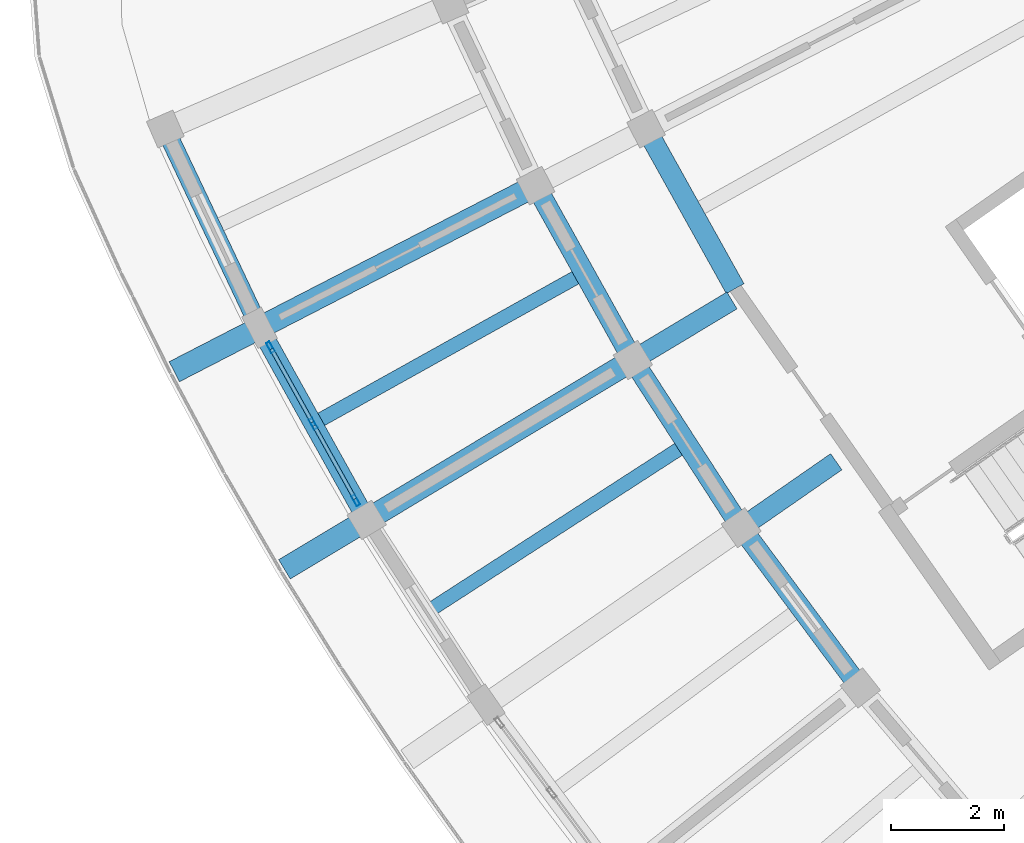
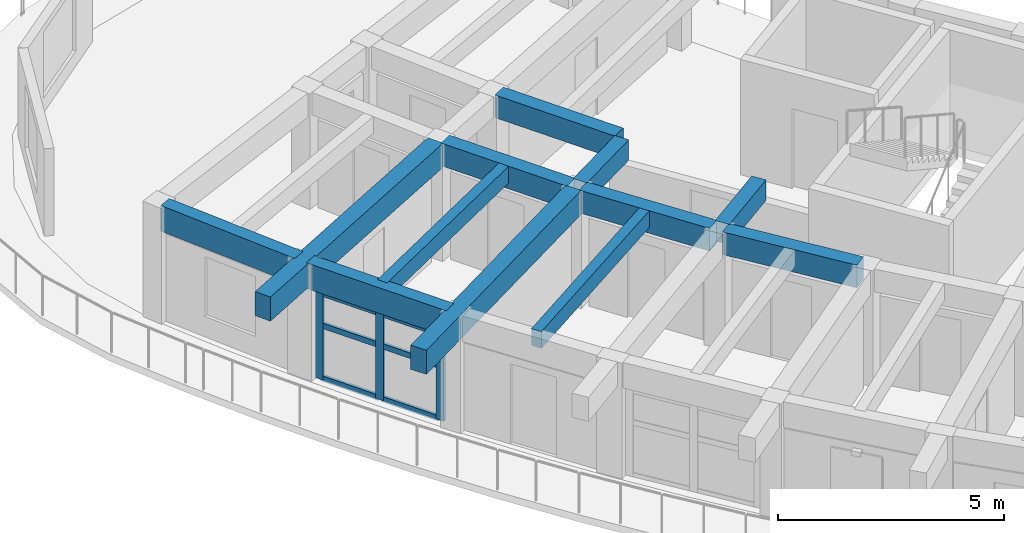
# One storey, part 7 of 62: 12 beams, 9 members, 1 element without a shape of its own.
"""IFC4 building model written with IfcOpenShell, lengths in metres."""

from ifc_helpers import new_model, si_unit, direction, frame, origin, origin_2d, place, context, subcontext, project, spatial, rectangle, hollow_rectangle, extrude, material, material_profile, profile_set, type_object, element, aggregate, save


model = new_model("IFC4")

# Units and contexts
model_context = context("Model", 3, precision=1e-05, world=origin(), true_north=direction((0.0, 1.0)))
body_context = subcontext(model_context, "Body", "Model", "MODEL_VIEW")
ifc_project = project(units=[si_unit("LENGTHUNIT", "METRE"), si_unit("AREAUNIT", "SQUARE_METRE"), si_unit("VOLUMEUNIT", "CUBIC_METRE"), si_unit("PLANEANGLEUNIT", "RADIAN"), si_unit("MASSUNIT", "GRAM", prefix="KILO")], contexts=[model_context])

# Site, building, storey
site_placement = place(None, origin())
site = spatial("IfcSite", under=ifc_project, at=site_placement, CompositionType="ELEMENT")
building_placement = place(site_placement, origin())
building = spatial("IfcBuilding", under=site, at=building_placement, Name="Tanwirah Colonnade Gardens", CompositionType="ELEMENT")
storey_placement = place(building_placement, frame((0.0, 0.0, 32.360107421875)))
storey = spatial("IfcBuildingStorey", under=building, at=storey_placement, Name="L09", CompositionType="ELEMENT", Elevation=32.360107421875)

# Beams
ifc_material_1 = material(Name="Precast concrete C40/50", Category="concrete")
ifc_material_profile_1 = material_profile(ifc_material_1, rectangle(XDim=0.360107421875, YDim=0.610107421875, at=origin_2d()), Name="PC-BM 360x610")
ifc_profile_set_1 = profile_set([ifc_material_profile_1], Name="Precast concrete C40/50")
beam_type_1 = type_object("IfcBeamType", Name="BM-PC300", PredefinedType="BEAM", material=ifc_profile_set_1)
beam_1_placement = place(storey_placement, frame((18.9775390625, 40.628173828125, 2.809814453125), z_axis=(0.486708181837, -0.873564620239, 0.0), x_axis=(0.873564620239, 0.486708181837, 0.0)))
element("IfcBeam", 1, at=beam_1_placement, inside=storey, type_object=beam_type_1, Name="Block C L09 Circumferential Beam 3-R1", PredefinedType="BEAM", context=body_context, shape_type="SweptSolid", body=[
    extrude(rectangle(XDim=0.360107421875, YDim=0.610107421875, at=origin_2d()), origin(), (0.0, 0.0, 1.0), 3.093017578125),
])
for number, where, z_axis, x_axis, name in (
    (2, (17.021728515625, 39.620849609375, 2.809814453125), (0.486712025227, -0.873562478875, 0.0), (0.873562478875, 0.486712025227, 0.0), "Block C L09 Circumferential Beam 3-R2"),
    (3, (18.75146484375, 36.5361328125, 2.809814453125), (0.542825891173, -0.839845254718, 0.0), (0.839845254718, 0.542825891173, 0.0), "Block C L09 Circumferential Beam 4-R2"),
):
    element("IfcBeam", number, at=place(storey_placement, frame(where, z_axis=z_axis, x_axis=x_axis)), inside=storey, type_object=beam_type_1, Name=name, PredefinedType="BEAM", context=body_context, shape_type="SweptSolid", body=[
        extrude(rectangle(XDim=0.360107421875, YDim=0.610107421875, at=origin_2d()), origin(), (0.0, 0.0, 1.0), 3.23681640625),
    ])
beam_2_placement = place(storey_placement, frame((20.679443359375, 33.5712890625, 2.809814453125), z_axis=(0.596579473879, -0.802554005252, 0.0), x_axis=(0.802554005252, 0.596579473879, 0.0)))
element("IfcBeam", 4, at=beam_2_placement, inside=storey, type_object=beam_type_1, Name="Block C L09 Circumferential Beam 5-R2", PredefinedType="BEAM", context=body_context, shape_type="SweptSolid", body=[
    extrude(rectangle(XDim=0.360107421875, YDim=0.610107421875, at=origin_2d()), origin(), (0.0, 0.0, 1.0), 3.237060546875),
])
ifc_material_profile_2 = material_profile(ifc_material_1, rectangle(XDim=0.35009765625, YDim=0.550048828125, at=origin_2d()), Name="PC-BM 350x550")
ifc_profile_set_2 = profile_set([ifc_material_profile_2], Name="Precast concrete C40/50")
beam_type_2 = type_object("IfcBeamType", Name="BM-PC350A", PredefinedType="BEAM", material=ifc_profile_set_2)
beam_3_placement = place(storey_placement, frame((20.42724609375, 37.718017578125, 2.83984375), z_axis=(-0.857186654737, -0.515005863017, 0.0), x_axis=(0.515005863017, -0.857186654737, 0.0)))
element("IfcBeam", 5, at=beam_3_placement, inside=storey, type_object=beam_type_2, Name="Block C L09 Corridor Tie Beam 4", PredefinedType="BEAM", context=body_context, shape_type="SweptSolid", body=[
    extrude(rectangle(XDim=0.35009765625, YDim=0.550048828125, at=origin_2d()), origin(), (0.0, 0.0, 1.0), 1.89990234375),
])
beam_4_placement = place(storey_placement, frame((22.2744140625, 34.860107421875, 2.83984375), z_axis=(-0.821669163201, -0.569964723684, 0.0), x_axis=(0.569964723684, -0.821669163201, 0.0)))
element("IfcBeam", 6, at=beam_4_placement, inside=storey, type_object=beam_type_2, Name="Block C L09 Corridor Tie Beam 5", PredefinedType="BEAM", context=body_context, shape_type="SweptSolid", body=[
    extrude(rectangle(XDim=0.35009765625, YDim=0.550048828125, at=origin_2d()), origin(), (0.0, 0.0, 1.0), 1.900146484375),
])
ifc_material_2 = material(Name="Precast concrete C45/55", Category="concrete")
ifc_material_profile_3 = material_profile(ifc_material_2, rectangle(XDim=0.39990234375, YDim=0.64990234375, at=origin_2d()), Name="PC-BM 400x650")
ifc_profile_set_3 = profile_set([ifc_material_profile_3], Name="Precast concrete C45/55")
beam_type_3 = type_object("IfcBeamType", Name="BM-PC400", PredefinedType="BEAM", material=ifc_profile_set_3)
for number, where, z_axis, x_axis, name in (
    (7, (16.815185546875, 39.683349609375, 2.789794921875), (-0.889016420099, -0.457875315774, 0.0), (0.457875315774, -0.889016420099, 0.0), "Block C L09 Outer Radial Precast Girder 3"),
    (8, (18.54150390625, 36.5849609375, 2.789794921875), (-0.857159687729, -0.515050744812, 0.0), (0.515050744812, -0.857159687729, 0.0), "Block C L09 Outer Radial Precast Girder 4"),
):
    element("IfcBeam", number, at=place(storey_placement, frame(where, z_axis=z_axis, x_axis=x_axis)), inside=storey, type_object=beam_type_3, Name=name, PredefinedType="BEAM", context=body_context, shape_type="SweptSolid", body=[
        extrude(rectangle(XDim=0.39990234375, YDim=0.64990234375, at=origin_2d()), origin(), (0.0, 0.0, 1.0), 7.050048828125),
    ])

# Curtain wall, members
ifc_material_3 = material(Name="Bronze-anodised aluminium and solar-control low-E glass", Category="aluminium")
curtain_wall_type = type_object("IfcCurtainWallType", Name="CW-LOB", PredefinedType="NOTDEFINED", material=ifc_material_3)
curtain_wall_placement = place(storey_placement, origin())
curtain_wall = element("IfcCurtainWall", 9, at=curtain_wall_placement, inside=storey, type_object=curtain_wall_type, Name="Curtain Wall CW-C-L09-OUT-03", PredefinedType="NOTDEFINED")
ifc_material_4 = material(Name="Bronze-anodised aluminium", Category="aluminium")
ifc_material_profile_4 = material_profile(ifc_material_4, hollow_rectangle(XDim=0.070068359375, YDim=0.199951171875, WallThickness=0.00390625, at=origin_2d()), Name="CW-MUL 70x200x4")
ifc_profile_set_4 = profile_set([ifc_material_profile_4], Name="Bronze-anodised aluminium")
member_type_1 = type_object("IfcMemberType", Name="CWM-70x200", PredefinedType="MULLION", material=ifc_profile_set_4)
member_1_placement = place(storey_placement, frame((12.251220703125, 36.888671875, 0.0), z_axis=(0.0, 0.0, 1.0), x_axis=(0.873560768318, 0.486715095364, 0.0)))
member_1 = element("IfcMember", 10, at=member_1_placement, type_object=member_type_1, Name="CW-LOB mullion 1", PredefinedType="MULLION", context=body_context, shape_type="SweptSolid", body=[
    extrude(hollow_rectangle(XDim=0.070068359375, YDim=0.199951171875, WallThickness=0.00390625, at=origin_2d()), origin(), (0.0, 0.0, 1.0), 2.35498046875),
])
member_2_placement = place(storey_placement, frame((13.00732421875, 35.531494140625, 0.0), z_axis=(0.0, 0.0, 1.0), x_axis=(0.873560768318, 0.486715095364, 0.0)))
member_2 = element("IfcMember", 11, at=member_2_placement, type_object=member_type_1, Name="CW-LOB mullion 2", PredefinedType="MULLION", context=body_context, shape_type="SweptSolid", body=[
    extrude(hollow_rectangle(XDim=0.070068359375, YDim=0.199951171875, WallThickness=0.00390625, at=origin_2d()), origin(), (0.0, 0.0, 1.0), 2.35498046875),
])
member_3_placement = place(storey_placement, frame((13.763427734375, 34.174560546875, 0.0), z_axis=(0.0, 0.0, 1.0), x_axis=(0.873560768318, 0.486715095364, 0.0)))
member_3 = element("IfcMember", 12, at=member_3_placement, type_object=member_type_1, Name="CW-LOB mullion 3", PredefinedType="MULLION", context=body_context, shape_type="SweptSolid", body=[
    extrude(hollow_rectangle(XDim=0.070068359375, YDim=0.199951171875, WallThickness=0.00390625, at=origin_2d()), origin(), (0.0, 0.0, 1.0), 2.35498046875),
])
ifc_material_profile_5 = material_profile(ifc_material_4, hollow_rectangle(XDim=0.070068359375, YDim=0.14990234375, WallThickness=0.00390625, at=origin_2d()), Name="CW-TRN 70x150x4")
ifc_profile_set_5 = profile_set([ifc_material_profile_5], Name="Bronze-anodised aluminium")
member_type_2 = type_object("IfcMemberType", Name="CWT-70x150", PredefinedType="USERDEFINED", material=ifc_profile_set_5)
member_4_placement = place(storey_placement, frame((12.268310546875, 36.85791015625, 0.034912109375), z_axis=(0.486662685206, -0.873589967221, 0.0), x_axis=(0.873589967221, 0.486662685206, 0.0)))
member_4 = element("IfcMember", 13, at=member_4_placement, type_object=member_type_2, Name="CW-LOB transom 1.1", ObjectType="TRANSOM", PredefinedType="USERDEFINED", context=body_context, shape_type="SweptSolid", body=[
    extrude(hollow_rectangle(XDim=0.070068359375, YDim=0.14990234375, WallThickness=0.00390625, at=origin_2d()), origin(), (0.0, 0.0, 1.0), 1.4833984375),
])
member_5_placement = place(storey_placement, frame((12.268310546875, 36.85791015625, 1.4599609375), z_axis=(0.486662685206, -0.873589967221, 0.0), x_axis=(0.873589967221, 0.486662685206, 0.0)))
member_5 = element("IfcMember", 14, at=member_5_placement, type_object=member_type_2, Name="CW-LOB transom 1.2", ObjectType="TRANSOM", PredefinedType="USERDEFINED", context=body_context, shape_type="SweptSolid", body=[
    extrude(hollow_rectangle(XDim=0.070068359375, YDim=0.14990234375, WallThickness=0.00390625, at=origin_2d()), origin(), (0.0, 0.0, 1.0), 1.4833984375),
])
member_6_placement = place(storey_placement, frame((12.268310546875, 36.85791015625, 2.31982421875), z_axis=(0.486662685206, -0.873589967221, 0.0), x_axis=(0.873589967221, 0.486662685206, 0.0)))
member_6 = element("IfcMember", 15, at=member_6_placement, type_object=member_type_2, Name="CW-LOB transom 1.3", ObjectType="TRANSOM", PredefinedType="USERDEFINED", context=body_context, shape_type="SweptSolid", body=[
    extrude(hollow_rectangle(XDim=0.070068359375, YDim=0.14990234375, WallThickness=0.00390625, at=origin_2d()), origin(), (0.0, 0.0, 1.0), 1.4833984375),
])
member_7_placement = place(storey_placement, frame((13.0244140625, 35.5009765625, 0.034912109375), z_axis=(0.486662685206, -0.873589967221, 0.0), x_axis=(0.873589967221, 0.486662685206, 0.0)))
member_7 = element("IfcMember", 16, at=member_7_placement, type_object=member_type_2, Name="CW-LOB transom 2.1", ObjectType="TRANSOM", PredefinedType="USERDEFINED", context=body_context, shape_type="SweptSolid", body=[
    extrude(hollow_rectangle(XDim=0.070068359375, YDim=0.14990234375, WallThickness=0.00390625, at=origin_2d()), origin(), (0.0, 0.0, 1.0), 1.4833984375),
])
member_8_placement = place(storey_placement, frame((13.0244140625, 35.5009765625, 1.4599609375), z_axis=(0.486662685206, -0.873589967221, 0.0), x_axis=(0.873589967221, 0.486662685206, 0.0)))
member_8 = element("IfcMember", 17, at=member_8_placement, type_object=member_type_2, Name="CW-LOB transom 2.2", ObjectType="TRANSOM", PredefinedType="USERDEFINED", context=body_context, shape_type="SweptSolid", body=[
    extrude(hollow_rectangle(XDim=0.070068359375, YDim=0.14990234375, WallThickness=0.00390625, at=origin_2d()), origin(), (0.0, 0.0, 1.0), 1.4833984375),
])
member_9_placement = place(storey_placement, frame((13.0244140625, 35.5009765625, 2.31982421875), z_axis=(0.486662685206, -0.873589967221, 0.0), x_axis=(0.873589967221, 0.486662685206, 0.0)))
member_9 = element("IfcMember", 18, at=member_9_placement, type_object=member_type_2, Name="CW-LOB transom 2.3", ObjectType="TRANSOM", PredefinedType="USERDEFINED", context=body_context, shape_type="SweptSolid", body=[
    extrude(hollow_rectangle(XDim=0.070068359375, YDim=0.14990234375, WallThickness=0.00390625, at=origin_2d()), origin(), (0.0, 0.0, 1.0), 1.4833984375),
])
aggregate(curtain_wall, [member_1, member_2, member_3, member_4, member_5, member_6, member_7, member_8, member_9])

# Beams
ifc_material_profile_6 = material_profile(ifc_material_1, rectangle(XDim=0.25, YDim=0.449951171875, at=origin_2d()), Name="PC-JST 250x450")
ifc_profile_set_6 = profile_set([ifc_material_profile_6], Name="Precast concrete C40/50")
beam_type_4 = type_object("IfcBeamType", Name="JST-PC250", PredefinedType="JOIST", material=ifc_profile_set_6)
for number, where, z_axis, x_axis, name in (
    (19, (17.67919921875, 38.134521484375, 2.889892578125), (-0.87356769437, -0.486702664214, 0.0), (0.486702664214, -0.87356769437, 0.0), "Block C L09 Precast Floor Joist 3"),
    (20, (19.5048828125, 35.09619140625, 2.889892578125), (-0.839842770955, -0.542829733963, 0.0), (0.542829733963, -0.839842770955, 0.0), "Block C L09 Precast Floor Joist 4"),
):
    element("IfcBeam", number, at=place(storey_placement, frame(where, z_axis=z_axis, x_axis=x_axis)), inside=storey, type_object=beam_type_4, Name=name, PredefinedType="JOIST", context=body_context, shape_type="SweptSolid", body=[
        extrude(rectangle(XDim=0.25, YDim=0.449951171875, at=origin_2d()), origin(), (0.0, 0.0, 1.0), 5.260009765625),
    ])
ifc_material_profile_7 = material_profile(ifc_material_1, rectangle(XDim=0.330078125, YDim=0.68994140625, at=origin_2d()), Name="PC-SP 330x690")
ifc_profile_set_7 = profile_set([ifc_material_profile_7], Name="Precast concrete C40/50")
beam_type_5 = type_object("IfcBeamType", Name="SP-PC280", PredefinedType="SPANDREL", material=ifc_profile_set_7)
for number, where, z_axis, x_axis, name in (
    (21, (10.453369140625, 40.618896484375, 2.769775390625), (0.428518139447, -0.903533178231, 0.0), (0.903533178231, 0.428518139447, 0.0), "Block C L09 Circumferential Beam 2-R3"),
    (22, (12.132080078125, 37.1025390625, 2.769775390625), (0.486679958674, -0.87358034423, 0.0), (0.87358034423, 0.486679958674, 0.0), "Block C L09 Circumferential Beam 3-R3"),
):
    element("IfcBeam", number, at=place(storey_placement, frame(where, z_axis=z_axis, x_axis=x_axis)), inside=storey, type_object=beam_type_5, Name=name, PredefinedType="SPANDREL", context=body_context, shape_type="SweptSolid", body=[
        extrude(rectangle(XDim=0.330078125, YDim=0.68994140625, at=origin_2d()), origin(), (0.0, 0.0, 1.0), 3.5966796875),
    ])

save(model, "model.ifc")
